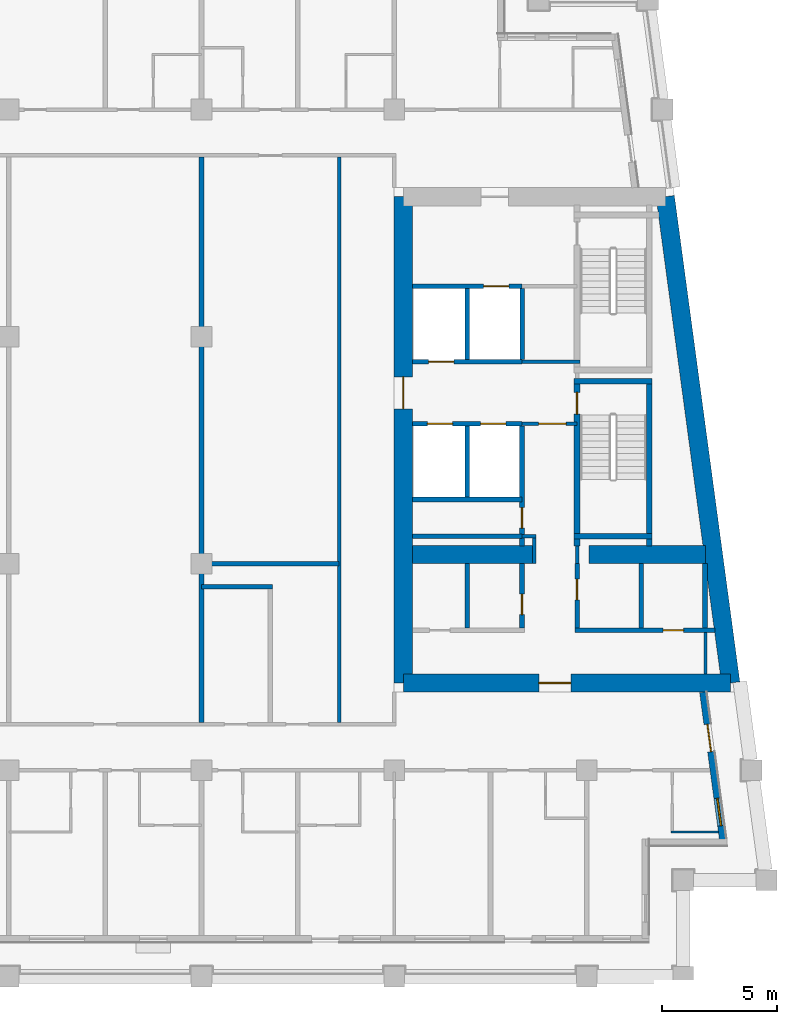
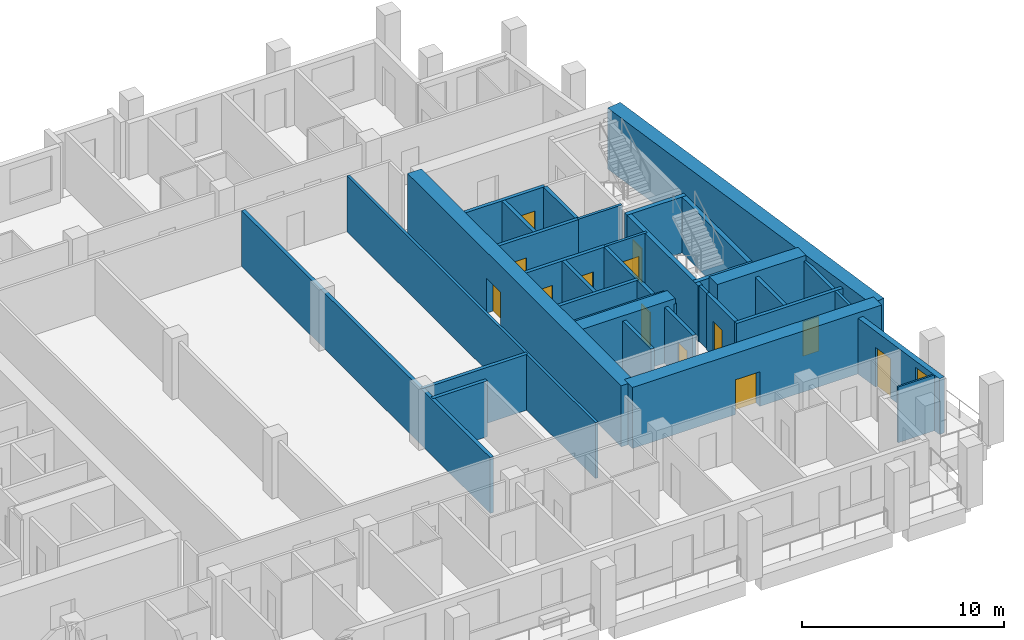
# One storey, part 5 of 13: 36 walls, 13 doors, 1 window, 14 openings.
"""IFC4 building model written with IfcOpenShell, lengths in metres."""

from ifc_helpers import new_model, si_unit, direction, frame, frame_2d, origin, place, context, subcontext, project, spatial, rectangle, extrude, material, layer, layer_set, type_object, element, fill, save


model = new_model("IFC4")

# Units and contexts
model_context = context("Model", 3, precision=1e-05, world=origin(), true_north=direction((0.0, 1.0)))
body_context = subcontext(model_context, "Body", "Model", "MODEL_VIEW")
ifc_project = project(units=[si_unit("LENGTHUNIT", "METRE"), si_unit("AREAUNIT", "SQUARE_METRE"), si_unit("VOLUMEUNIT", "CUBIC_METRE"), si_unit("PLANEANGLEUNIT", "RADIAN"), si_unit("MASSUNIT", "GRAM", prefix="KILO")], contexts=[model_context])

# Site, building, storey
site_placement = place(None, origin())
site = spatial("IfcSite", under=ifc_project, at=site_placement, CompositionType="ELEMENT")
building_placement = place(site_placement, origin())
building = spatial("IfcBuilding", under=site, at=building_placement, Name="Candeia Pilgrim Tower and Theatre", CompositionType="ELEMENT")
storey_placement = place(building_placement, frame((0.0, 0.0, 205.89990234375)))
storey = spatial("IfcBuildingStorey", under=building, at=storey_placement, Name="L49", CompositionType="ELEMENT", Elevation=205.89990234375)

# Wall
ifc_material_1 = material(Name="Concrete C50/60", Category="concrete")
ifc_layer_1 = layer(ifc_material_1, 0.800048828125)
ifc_layer_set_1 = layer_set([ifc_layer_1], Name="Core wall 800 C50/60")
wall_type_1 = type_object("IfcWallType", Name="Core wall 800 C50/60", PredefinedType="SHEAR", material=ifc_layer_set_1)
wall_1_placement = place(storey_placement, frame((137.819580078125, 132.0, 0.0), z_axis=(0.0, 0.0, 1.0), x_axis=(0.133408347329, -0.991061154956, 0.0)))
element("IfcWall", 1, at=wall_1_placement, inside=storey, type_object=wall_type_1, Name="Core wall E2", PredefinedType="SHEAR", context=body_context, shape_type="SweptSolid", body=[
    extrude(rectangle(XDim=21.39111328125, YDim=0.800048828125, at=frame_2d((10.695556640625, 0.0))), origin(), (0.0, 0.0, 1.0), 3.7001953125),
])

# Wall, opening, door
wall_2_placement = place(storey_placement, frame((140.67333984375, 110.800048828125, 0.0), z_axis=(0.0, 0.0, 1.0), x_axis=(-1.0, 0.0, 0.0)))
wall_2 = element("IfcWall", 2, at=wall_2_placement, inside=storey, type_object=wall_type_1, Name="Core wall E3", PredefinedType="SHEAR", context=body_context, shape_type="SweptSolid", body=[
    extrude(rectangle(XDim=14.2734375, YDim=0.800048828125, at=frame_2d((7.13671875, 0.0))), origin(), (0.0, 0.0, 1.0), 3.7001953125),
])
opening_1_placement = place(wall_2_placement, frame((6.96533203125, 0.0, 0.0)))
opening_1 = element("IfcOpeningElement", 3, at=opening_1_placement, cuts=wall_2, Name="Opening L49-D063", PredefinedType="OPENING", context=body_context, shape_type="SweptSolid", body=[
    extrude(rectangle(XDim=1.39990234375, YDim=2.10009765625, at=frame_2d((0.699951171875, 1.050048828125))), frame((0.0, 0.41015625, 0.0), z_axis=(0.0, -1.0, 0.0), x_axis=(1.0, 0.0, 0.0)), (0.0, 0.0, 1.0), 0.820068359375),
])
ifc_material_2 = material(Name="Steel fire door set", Category="steel")
door_type_1 = type_object("IfcDoorType", Name="D-1400-FD60", OperationType="NOTDEFINED", PredefinedType="DOOR", material=ifc_material_2)
door_1_placement = place(opening_1_placement, origin())
door_1 = element("IfcDoor", 4, at=door_1_placement, inside=storey, type_object=door_type_1, Name="Door L49-D063", OperationType="SINGLE_SWING_RIGHT", OverallHeight=2.10009765625, OverallWidth=1.39990234375, PredefinedType="DOOR", context=body_context, shape_type="SweptSolid", body=[
    extrude(rectangle(XDim=1.39990234375, YDim=2.10009765625, at=frame_2d((0.699951171875, 1.050048828125))), frame((0.0, 0.02490234375, 0.0), z_axis=(0.0, -1.0, 0.0), x_axis=(1.0, 0.0, 0.0)), (0.0, 0.0, 1.0), 0.050048828125),
])
fill(opening_1, door_1)

wall_3_placement = place(storey_placement, frame((126.39990234375, 110.800048828125, 0.0), z_axis=(0.0, 0.0, 1.0), x_axis=(0.0, 1.0, 0.0)))
wall_3 = element("IfcWall", 5, at=wall_3_placement, inside=storey, type_object=wall_type_1, Name="Core wall E4", PredefinedType="SHEAR", context=body_context, shape_type="SweptSolid", body=[
    extrude(rectangle(XDim=21.199951171875, YDim=0.800048828125, at=frame_2d((10.60009765625, 0.0))), origin(), (0.0, 0.0, 1.0), 3.7001953125),
])
opening_2_placement = place(wall_3_placement, frame((11.949951171875, 0.0, 0.0)))
opening_2 = element("IfcOpeningElement", 6, at=opening_2_placement, cuts=wall_3, Name="Opening L49-D065", PredefinedType="OPENING", context=body_context, shape_type="SweptSolid", body=[
    extrude(rectangle(XDim=1.39990234375, YDim=2.10009765625, at=frame_2d((0.699951171875, 1.050048828125))), frame((0.0, 0.41015625, 0.0), z_axis=(0.0, -1.0, 0.0), x_axis=(1.0, 0.0, 0.0)), (0.0, 0.0, 1.0), 0.820068359375),
])
door_2_placement = place(opening_2_placement, origin())
door_2 = element("IfcDoor", 7, at=door_2_placement, inside=storey, type_object=door_type_1, Name="Door L49-D065", OperationType="SINGLE_SWING_RIGHT", OverallHeight=2.10009765625, OverallWidth=1.39990234375, PredefinedType="DOOR", context=body_context, shape_type="SweptSolid", body=[
    extrude(rectangle(XDim=1.39990234375, YDim=2.10009765625, at=frame_2d((0.699951171875, 1.050048828125))), frame((0.0, 0.02490234375, 0.0), z_axis=(0.0, -1.0, 0.0), x_axis=(1.0, 0.0, 0.0)), (0.0, 0.0, 1.0), 0.050048828125),
])
fill(opening_2, door_2)

# Walls
wall_4_placement = place(storey_placement, frame((126.800048828125, 116.39990234375, 0.0), z_axis=(0.0, 0.0, 1.0), x_axis=(1.0, 0.0, 0.0)))
element("IfcWall", 8, at=wall_4_placement, inside=storey, type_object=wall_type_1, Name="Core wall E5", PredefinedType="SHEAR", context=body_context, shape_type="SweptSolid", body=[
    extrude(rectangle(XDim=5.300048828125, YDim=0.800048828125, at=frame_2d((2.64990234375, 0.0))), origin(), (0.0, 0.0, 1.0), 3.7001953125),
])
wall_5_placement = place(storey_placement, frame((134.5, 116.39990234375, 0.0), z_axis=(0.0, 0.0, 1.0), x_axis=(1.0, 0.0, 0.0)))
element("IfcWall", 9, at=wall_5_placement, inside=storey, type_object=wall_type_1, Name="Core wall E6", PredefinedType="SHEAR", context=body_context, shape_type="SweptSolid", body=[
    extrude(rectangle(XDim=5.076904296875, YDim=0.800048828125, at=frame_2d((2.53857421875, 0.0))), origin(), (0.0, 0.0, 1.0), 3.7001953125),
])

# Wall, openings, door, window
ifc_material_3 = material(Name="Ceramic block masonry", Category="masonry")
ifc_layer_2 = layer(ifc_material_3, 0.300048828125)
ifc_layer_set_2 = layer_set([ifc_layer_2], Name="EW1 glazing-line wall 300")
wall_type_2 = type_object("IfcWallType", Name="EW1 glazing-line wall 300", PredefinedType="SOLIDWALL", material=ifc_layer_set_2)
wall_6_placement = place(storey_placement, frame((140.34765625, 103.85009765625, 0.0), z_axis=(0.0, 0.0, 1.0), x_axis=(-0.133431549479, 0.991058031401, 0.0)))
wall_6 = element("IfcWall", 10, at=wall_6_placement, inside=storey, type_object=wall_type_2, Name="External wall L49-3.0", PredefinedType="SOLIDWALL", context=body_context, shape_type="SweptSolid", body=[
    extrude(rectangle(XDim=6.60888671875, YDim=0.300048828125, at=frame_2d((3.304443359375, 0.0))), origin(), (0.0, 0.0, 1.0), 3.380126953125),
])
opening_3_placement = place(wall_6_placement, frame((0.736572265625, 0.0, 0.89990234375)))
opening_3 = element("IfcOpeningElement", 11, at=opening_3_placement, cuts=wall_6, Name="Opening W-B", PredefinedType="OPENING", context=body_context, shape_type="SweptSolid", body=[
    extrude(rectangle(XDim=1.199951171875, YDim=2.10009765625, at=frame_2d((0.60009765625, 1.050048828125))), frame((0.0, 0.16015625, 0.0), z_axis=(0.0, -1.0, 0.0), x_axis=(1.0, 0.0, 0.0)), (0.0, 0.0, 1.0), 0.320068359375),
])
opening_4_placement = place(wall_6_placement, frame((3.990966796875, 0.0, 0.0)))
opening_4 = element("IfcOpeningElement", 12, at=opening_4_placement, cuts=wall_6, Name="Opening L49-ED464", PredefinedType="OPENING", context=body_context, shape_type="SweptSolid", body=[
    extrude(rectangle(XDim=1.199951171875, YDim=2.39990234375, at=frame_2d((0.60009765625, 1.199951171875))), frame((0.0, 0.16015625, 0.0), z_axis=(0.0, -1.0, 0.0), x_axis=(1.0, 0.0, 0.0)), (0.0, 0.0, 1.0), 0.320068359375),
])
ifc_material_4 = material(Name="Aluminium framed glazed door", Category="aluminium")
door_type_2 = type_object("IfcDoorType", Name="Loggia door 1200x2400", OperationType="DOUBLE_DOOR_SINGLE_SWING", PredefinedType="DOOR", material=ifc_material_4)
door_3_placement = place(opening_4_placement, origin())
door_3 = element("IfcDoor", 13, at=door_3_placement, inside=storey, type_object=door_type_2, Name="Loggia door L49-ED464", OperationType="DOUBLE_DOOR_SINGLE_SWING", OverallHeight=2.39990234375, OverallWidth=1.199951171875, PredefinedType="DOOR", context=body_context, shape_type="SweptSolid", body=[
    extrude(rectangle(XDim=1.199951171875, YDim=2.39990234375, at=frame_2d((0.60009765625, 1.199951171875))), frame((0.0, 0.02490234375, 0.0), z_axis=(0.0, -1.0, 0.0), x_axis=(1.0, 0.0, 0.0)), (0.0, 0.0, 1.0), 0.050048828125),
])
fill(opening_4, door_3)
ifc_material_5 = material(Name="Aluminium framed double glazing", Category="aluminium")
window_type = type_object("IfcWindowType", Name="W-B window 1200x2100", PartitioningType="SINGLE_PANEL", PredefinedType="WINDOW", material=ifc_material_5)
window_placement = place(opening_3_placement, origin())
window = element("IfcWindow", 14, at=window_placement, inside=storey, type_object=window_type, Name="Window W-B L49", OverallHeight=2.10009765625, OverallWidth=1.199951171875, PartitioningType="SINGLE_PANEL", PredefinedType="WINDOW", context=body_context, shape_type="SweptSolid", body=[
    extrude(rectangle(XDim=1.199951171875, YDim=2.10009765625, at=frame_2d((0.60009765625, 1.050048828125))), frame((0.0, 0.030029296875, 0.0), z_axis=(0.0, -1.0, 0.0), x_axis=(1.0, 0.0, 0.0)), (0.0, 0.0, 1.0), 0.06005859375),
])
fill(opening_3, window)

# Walls
ifc_material_6 = material(Name="Gypsum board partition on steel studs", Category="steel")
ifc_layer_3 = layer(ifc_material_6, 0.10009765625)
ifc_layer_set_3 = layer_set([ifc_layer_3], Name="PW-100 room partition")
wall_type_3 = type_object("IfcWallType", Name="PW-100 room partition", PredefinedType="PARTITIONING", material=ifc_layer_set_3)
wall_7_placement = place(storey_placement, frame((138.070068359375, 104.300048828125, 0.0), z_axis=(0.0, 0.0, 1.0), x_axis=(1.0, 0.0, 0.0)))
element("IfcWall", 15, at=wall_7_placement, inside=storey, type_object=wall_type_3, Name="Room partition L49-003", PredefinedType="PARTITIONING", context=body_context, shape_type="SweptSolid", body=[
    extrude(rectangle(XDim=2.07568359375, YDim=0.10009765625, at=frame_2d((1.037841796875, 0.0))), origin(), (0.0, 0.0, 1.0), 3.380126953125),
])
ifc_layer_4 = layer(ifc_material_6, 0.14990234375)
ifc_layer_set_4 = layer_set([ifc_layer_4], Name="PW-150 lobby wall")
wall_type_4 = type_object("IfcWallType", Name="PW-150 lobby wall", PredefinedType="PARTITIONING", material=ifc_layer_set_4)
wall_8_placement = place(storey_placement, frame((131.572998046875, 117.199951171875, 0.0), z_axis=(0.0, 0.0, 1.0), x_axis=(1.0, 0.0, 0.0)))
element("IfcWall", 16, at=wall_8_placement, inside=storey, type_object=wall_type_4, Name="Lobby wall L49-021", PredefinedType="PARTITIONING", context=body_context, shape_type="SweptSolid", body=[
    extrude(rectangle(XDim=0.60205078125, YDim=0.14990234375, at=frame_2d((0.301025390625, 0.0))), origin(), (0.0, 0.0, 1.0), 3.380126953125),
])

# Wall, opening, door
wall_9_placement = place(storey_placement, frame((131.572998046875, 122.10009765625, 0.0), z_axis=(0.0, 0.0, 1.0), x_axis=(1.0, 0.0, 0.0)))
wall_9 = element("IfcWall", 17, at=wall_9_placement, inside=storey, type_object=wall_type_4, Name="Lobby wall L49-029", PredefinedType="PARTITIONING", context=body_context, shape_type="SweptSolid", body=[
    extrude(rectangle(XDim=2.39990234375, YDim=0.14990234375, at=frame_2d((1.199951171875, 0.0))), origin(), (0.0, 0.0, 1.0), 3.380126953125),
])
opening_5_placement = place(wall_9_placement, frame((0.72509765625, 0.0, 0.0)))
opening_5 = element("IfcOpeningElement", 18, at=opening_5_placement, cuts=wall_9, Name="Opening L49-D009", PredefinedType="OPENING", context=body_context, shape_type="SweptSolid", body=[
    extrude(rectangle(XDim=1.199951171875, YDim=2.10009765625, at=frame_2d((0.60009765625, 1.050048828125))), frame((0.0, 0.0849609375, 0.0), z_axis=(0.0, -1.0, 0.0), x_axis=(1.0, 0.0, 0.0)), (0.0, 0.0, 1.0), 0.169921875),
])
door_type_3 = type_object("IfcDoorType", Name="D-1200-FD60", OperationType="NOTDEFINED", PredefinedType="DOOR", material=ifc_material_2)
door_4_placement = place(opening_5_placement, origin())
door_4 = element("IfcDoor", 19, at=door_4_placement, inside=storey, type_object=door_type_3, Name="Door L49-D009", OperationType="SINGLE_SWING_RIGHT", OverallHeight=2.10009765625, OverallWidth=1.199951171875, PredefinedType="DOOR", context=body_context, shape_type="SweptSolid", body=[
    extrude(rectangle(XDim=1.199951171875, YDim=2.10009765625, at=frame_2d((0.60009765625, 1.050048828125))), frame((0.0, 0.02490234375, 0.0), z_axis=(0.0, -1.0, 0.0), x_axis=(1.0, 0.0, 0.0)), (0.0, 0.0, 1.0), 0.050048828125),
])
fill(opening_5, door_4)

# Walls
wall_10_placement = place(storey_placement, frame((131.58203125, 124.800048828125, 0.0), z_axis=(0.0, 0.0, 1.0), x_axis=(1.0, 0.0, 0.0)))
element("IfcWall", 20, at=wall_10_placement, inside=storey, type_object=wall_type_4, Name="Lobby wall L49-036", PredefinedType="PARTITIONING", context=body_context, shape_type="SweptSolid", body=[
    extrude(rectangle(XDim=2.515869140625, YDim=0.14990234375, at=frame_2d((1.2578125, 0.0))), origin(), (0.0, 0.0, 1.0), 3.380126953125),
])
wall_11_placement = place(storey_placement, frame((132.10009765625, 116.0, 0.0), z_axis=(0.0, 0.0, 1.0), x_axis=(0.0, 1.0, 0.0)))
element("IfcWall", 21, at=wall_11_placement, inside=storey, type_object=wall_type_4, Name="Lobby wall L49-115", PredefinedType="PARTITIONING", context=body_context, shape_type="SweptSolid", body=[
    extrude(rectangle(XDim=1.125, YDim=0.14990234375, at=frame_2d((0.5625, 0.0))), origin(), (0.0, 0.0, 1.0), 3.380126953125),
])
wall_12_placement = place(storey_placement, frame((133.972900390625, 116.0, 0.0), z_axis=(0.0, 0.0, 1.0), x_axis=(0.0, 1.0, 0.0)))
element("IfcWall", 22, at=wall_12_placement, inside=storey, type_object=wall_type_4, Name="Lobby wall L49-119", PredefinedType="PARTITIONING", context=body_context, shape_type="SweptSolid", body=[
    extrude(rectangle(XDim=0.77001953125, YDim=0.14990234375, at=frame_2d((0.385009765625, 0.0))), origin(), (0.0, 0.0, 1.0), 3.380126953125),
])
wall_13_placement = place(storey_placement, frame((139.572998046875, 111.199951171875, 0.0), z_axis=(0.0, 0.0, 1.0), x_axis=(0.0, 1.0, 0.0)))
element("IfcWall", 23, at=wall_13_placement, inside=storey, type_object=wall_type_4, Name="Lobby wall L49-129", PredefinedType="PARTITIONING", context=body_context, shape_type="SweptSolid", body=[
    extrude(rectangle(XDim=1.800048828125, YDim=0.14990234375, at=frame_2d((0.89990234375, 0.0))), origin(), (0.0, 0.0, 1.0), 3.380126953125),
])
ifc_layer_5 = layer(ifc_material_6, 0.14990234375)
ifc_layer_set_5 = layer_set([ifc_layer_5], Name="PW-150 unit wall")
wall_type_5 = type_object("IfcWallType", Name="PW-150 unit wall", PredefinedType="PARTITIONING", material=ifc_layer_set_5)
wall_14_placement = place(storey_placement, frame((123.60009765625, 109.074951171875, 0.0), z_axis=(0.0, 0.0, 1.0), x_axis=(0.0, 1.0, 0.0)))
element("IfcWall", 24, at=wall_14_placement, inside=storey, type_object=wall_type_5, Name="Unit wall L49-100", PredefinedType="PARTITIONING", context=body_context, shape_type="SweptSolid", body=[
    extrude(rectangle(XDim=24.650146484375, YDim=0.14990234375, at=frame_2d((12.3251953125, 0.0))), origin(), (0.0, 0.0, 1.0), 3.380126953125),
])
ifc_layer_6 = layer(ifc_material_6, 0.199951171875)
ifc_layer_set_6 = layer_set([ifc_layer_6], Name="PW-200 party wall")
wall_type_6 = type_object("IfcWallType", Name="PW-200 party wall", PredefinedType="PARTITIONING", material=ifc_layer_set_6)
wall_15_placement = place(storey_placement, frame((117.60009765625, 115.0, 0.0), z_axis=(0.0, 0.0, 1.0), x_axis=(1.0, 0.0, 0.0)))
element("IfcWall", 25, at=wall_15_placement, inside=storey, type_object=wall_type_6, Name="Party wall L49-016", PredefinedType="PARTITIONING", context=body_context, shape_type="SweptSolid", body=[
    extrude(rectangle(XDim=3.099853515625, YDim=0.199951171875, at=frame_2d((1.5498046875, 0.0))), origin(), (0.0, 0.0, 1.0), 3.380126953125),
])
wall_16_placement = place(storey_placement, frame((117.60009765625, 116.0, 0.0), z_axis=(0.0, 0.0, 1.0), x_axis=(1.0, 0.0, 0.0)))
element("IfcWall", 26, at=wall_16_placement, inside=storey, type_object=wall_type_6, Name="Party wall L49-017", PredefinedType="PARTITIONING", context=body_context, shape_type="SweptSolid", body=[
    extrude(rectangle(XDim=6.0, YDim=0.199951171875, at=frame_2d((3.0, 0.0))), origin(), (0.0, 0.0, 1.0), 3.380126953125),
])
wall_17_placement = place(storey_placement, frame((117.60009765625, 109.074951171875, 0.0), z_axis=(0.0, 0.0, 1.0), x_axis=(0.0, 1.0, 0.0)))
element("IfcWall", 27, at=wall_17_placement, inside=storey, type_object=wall_type_6, Name="Party wall L49-093", PredefinedType="PARTITIONING", context=body_context, shape_type="SweptSolid", body=[
    extrude(rectangle(XDim=24.650146484375, YDim=0.199951171875, at=frame_2d((12.3251953125, 0.0))), origin(), (0.0, 0.0, 1.0), 3.380126953125),
])

# Wall, opening, door
ifc_material_7 = material(Name="Concrete C40/50", Category="concrete")
ifc_layer_7 = layer(ifc_material_7, 0.199951171875)
ifc_layer_set_7 = layer_set([ifc_layer_7], Name="SW-200 shaft wall")
wall_type_7 = type_object("IfcWallType", Name="SW-200 shaft wall", PredefinedType="PARTITIONING", material=ifc_layer_set_7)
wall_18_placement = place(storey_placement, frame((133.873046875, 113.10009765625, 0.0), z_axis=(0.0, 0.0, 1.0), x_axis=(1.0, 0.0, 0.0)))
wall_18 = element("IfcWall", 28, at=wall_18_placement, inside=storey, type_object=wall_type_7, Name="Shaft wall L49-015", PredefinedType="PARTITIONING", context=body_context, shape_type="SweptSolid", body=[
    extrude(rectangle(XDim=6.116943359375, YDim=0.199951171875, at=frame_2d((3.05859375, 0.0))), origin(), (0.0, 0.0, 1.0), 3.380126953125),
])
opening_6_placement = place(wall_18_placement, frame((3.85009765625, 0.0, 0.0)))
opening_6 = element("IfcOpeningElement", 29, at=opening_6_placement, cuts=wall_18, Name="Opening L49-D013", PredefinedType="OPENING", context=body_context, shape_type="SweptSolid", body=[
    extrude(rectangle(XDim=0.89990234375, YDim=2.10009765625, at=frame_2d((0.449951171875, 1.050048828125))), frame((0.0, 0.10986328125, 0.0), z_axis=(0.0, -1.0, 0.0), x_axis=(1.0, 0.0, 0.0)), (0.0, 0.0, 1.0), 0.219970703125),
])
door_type_4 = type_object("IfcDoorType", Name="D-900-FD60", OperationType="NOTDEFINED", PredefinedType="DOOR", material=ifc_material_2)
door_5_placement = place(opening_6_placement, origin())
door_5 = element("IfcDoor", 30, at=door_5_placement, inside=storey, type_object=door_type_4, Name="Door L49-D013", OperationType="SINGLE_SWING_RIGHT", OverallHeight=2.10009765625, OverallWidth=0.89990234375, PredefinedType="DOOR", context=body_context, shape_type="SweptSolid", body=[
    extrude(rectangle(XDim=0.89990234375, YDim=2.10009765625, at=frame_2d((0.449951171875, 1.050048828125))), frame((0.0, 0.02490234375, 0.0), z_axis=(0.0, -1.0, 0.0), x_axis=(1.0, 0.0, 0.0)), (0.0, 0.0, 1.0), 0.050048828125),
])
fill(opening_6, door_5)

# Walls
for number, where, z_axis, x_axis, name in (
    (31, (126.800048828125, 117.199951171875, 0.0), (0.0, 0.0, 1.0), (1.0, 0.0, 0.0), "Shaft wall L49-019"),
    (32, (126.800048828125, 118.800048828125, 0.0), (0.0, 0.0, 1.0), (1.0, 0.0, 0.0), "Shaft wall L49-025"),
):
    element("IfcWall", number, at=place(storey_placement, frame(where, z_axis=z_axis, x_axis=x_axis)), inside=storey, type_object=wall_type_7, Name=name, PredefinedType="PARTITIONING", context=body_context, shape_type="SweptSolid", body=[
        extrude(rectangle(XDim=4.77294921875, YDim=0.199951171875, at=frame_2d((2.386474609375, 0.0))), origin(), (0.0, 0.0, 1.0), 3.380126953125),
    ])

# Wall, openings, doors
wall_19_placement = place(storey_placement, frame((126.800048828125, 122.10009765625, 0.0), z_axis=(0.0, 0.0, 1.0), x_axis=(1.0, 0.0, 0.0)))
wall_19 = element("IfcWall", 33, at=wall_19_placement, inside=storey, type_object=wall_type_7, Name="Shaft wall L49-027", PredefinedType="PARTITIONING", context=body_context, shape_type="SweptSolid", body=[
    extrude(rectangle(XDim=4.77294921875, YDim=0.199951171875, at=frame_2d((2.386474609375, 0.0))), origin(), (0.0, 0.0, 1.0), 3.380126953125),
])
opening_7_placement = place(wall_19_placement, frame((2.970947265625, 0.0, 0.0)))
opening_7 = element("IfcOpeningElement", 34, at=opening_7_placement, cuts=wall_19, Name="Opening L49-LD05", PredefinedType="OPENING", context=body_context, shape_type="SweptSolid", body=[
    extrude(rectangle(XDim=1.10009765625, YDim=2.10009765625, at=frame_2d((0.550048828125, 1.050048828125))), frame((0.0, 0.10986328125, 0.0), z_axis=(0.0, -1.0, 0.0), x_axis=(1.0, 0.0, 0.0)), (0.0, 0.0, 1.0), 0.219970703125),
])
opening_8_placement = place(wall_19_placement, frame((0.64306640625, 0.0, 0.0)))
opening_8 = element("IfcOpeningElement", 35, at=opening_8_placement, cuts=wall_19, Name="Opening L49-LD06", PredefinedType="OPENING", context=body_context, shape_type="SweptSolid", body=[
    extrude(rectangle(XDim=1.10009765625, YDim=2.10009765625, at=frame_2d((0.550048828125, 1.050048828125))), frame((0.0, 0.10986328125, 0.0), z_axis=(0.0, -1.0, 0.0), x_axis=(1.0, 0.0, 0.0)), (0.0, 0.0, 1.0), 0.219970703125),
])
ifc_material_8 = material(Name="Glazed aluminium landing door", Category="aluminium")
door_type_5 = type_object("IfcDoorType", Name="LD-1100-EI120", OperationType="SLIDING_TO_LEFT", PredefinedType="DOOR", material=ifc_material_8)
door_6_placement = place(opening_7_placement, origin())
door_6 = element("IfcDoor", 36, at=door_6_placement, inside=storey, type_object=door_type_5, Name="Landing door 05 L49", OperationType="SLIDING_TO_LEFT", OverallHeight=2.10009765625, OverallWidth=1.10009765625, PredefinedType="DOOR", context=body_context, shape_type="SweptSolid", body=[
    extrude(rectangle(XDim=1.10009765625, YDim=2.10009765625, at=frame_2d((0.550048828125, 1.050048828125))), frame((0.0, 0.02490234375, 0.0), z_axis=(0.0, -1.0, 0.0), x_axis=(1.0, 0.0, 0.0)), (0.0, 0.0, 1.0), 0.050048828125),
])
fill(opening_7, door_6)
door_7_placement = place(opening_8_placement, origin())
door_7 = element("IfcDoor", 37, at=door_7_placement, inside=storey, type_object=door_type_5, Name="Landing door 06 L49", OperationType="SLIDING_TO_LEFT", OverallHeight=2.10009765625, OverallWidth=1.10009765625, PredefinedType="DOOR", context=body_context, shape_type="SweptSolid", body=[
    extrude(rectangle(XDim=1.10009765625, YDim=2.10009765625, at=frame_2d((0.550048828125, 1.050048828125))), frame((0.0, 0.02490234375, 0.0), z_axis=(0.0, -1.0, 0.0), x_axis=(1.0, 0.0, 0.0)), (0.0, 0.0, 1.0), 0.050048828125),
])
fill(opening_8, door_7)

# Wall, opening, door
wall_20_placement = place(storey_placement, frame((126.800048828125, 124.800048828125, 0.0), z_axis=(0.0, 0.0, 1.0), x_axis=(1.0, 0.0, 0.0)))
wall_20 = element("IfcWall", 38, at=wall_20_placement, inside=storey, type_object=wall_type_7, Name="Shaft wall L49-035", PredefinedType="PARTITIONING", context=body_context, shape_type="SweptSolid", body=[
    extrude(rectangle(XDim=4.781982421875, YDim=0.199951171875, at=frame_2d((2.39111328125, 0.0))), origin(), (0.0, 0.0, 1.0), 3.380126953125),
])
opening_9_placement = place(wall_20_placement, frame((0.705078125, 0.0, 0.0)))
opening_9 = element("IfcOpeningElement", 39, at=opening_9_placement, cuts=wall_20, Name="Opening L49-LD08", PredefinedType="OPENING", context=body_context, shape_type="SweptSolid", body=[
    extrude(rectangle(XDim=1.10009765625, YDim=2.10009765625, at=frame_2d((0.550048828125, 1.050048828125))), frame((0.0, 0.10986328125, 0.0), z_axis=(0.0, -1.0, 0.0), x_axis=(1.0, 0.0, 0.0)), (0.0, 0.0, 1.0), 0.219970703125),
])
door_8_placement = place(opening_9_placement, origin())
door_8 = element("IfcDoor", 40, at=door_8_placement, inside=storey, type_object=door_type_5, Name="Landing door 08 L49", OperationType="SLIDING_TO_LEFT", OverallHeight=2.10009765625, OverallWidth=1.10009765625, PredefinedType="DOOR", context=body_context, shape_type="SweptSolid", body=[
    extrude(rectangle(XDim=1.10009765625, YDim=2.10009765625, at=frame_2d((0.550048828125, 1.050048828125))), frame((0.0, 0.02490234375, 0.0), z_axis=(0.0, -1.0, 0.0), x_axis=(1.0, 0.0, 0.0)), (0.0, 0.0, 1.0), 0.050048828125),
])
fill(opening_9, door_8)

wall_21_placement = place(storey_placement, frame((126.800048828125, 128.10009765625, 0.0), z_axis=(0.0, 0.0, 1.0), x_axis=(1.0, 0.0, 0.0)))
wall_21 = element("IfcWall", 41, at=wall_21_placement, inside=storey, type_object=wall_type_7, Name="Shaft wall L49-038", PredefinedType="PARTITIONING", context=body_context, shape_type="SweptSolid", body=[
    extrude(rectangle(XDim=4.781982421875, YDim=0.199951171875, at=frame_2d((2.39111328125, 0.0))), origin(), (0.0, 0.0, 1.0), 3.380126953125),
])
opening_10_placement = place(wall_21_placement, frame((3.095947265625, 0.0, 0.0)))
opening_10 = element("IfcOpeningElement", 42, at=opening_10_placement, cuts=wall_21, Name="Opening L49-LD07", PredefinedType="OPENING", context=body_context, shape_type="SweptSolid", body=[
    extrude(rectangle(XDim=1.10009765625, YDim=2.10009765625, at=frame_2d((0.550048828125, 1.050048828125))), frame((0.0, 0.10986328125, 0.0), z_axis=(0.0, -1.0, 0.0), x_axis=(1.0, 0.0, 0.0)), (0.0, 0.0, 1.0), 0.219970703125),
])
door_9_placement = place(opening_10_placement, origin())
door_9 = element("IfcDoor", 43, at=door_9_placement, inside=storey, type_object=door_type_5, Name="Landing door 07 L49", OperationType="SLIDING_TO_LEFT", OverallHeight=2.10009765625, OverallWidth=1.10009765625, PredefinedType="DOOR", context=body_context, shape_type="SweptSolid", body=[
    extrude(rectangle(XDim=1.10009765625, YDim=2.10009765625, at=frame_2d((0.550048828125, 1.050048828125))), frame((0.0, 0.02490234375, 0.0), z_axis=(0.0, -1.0, 0.0), x_axis=(1.0, 0.0, 0.0)), (0.0, 0.0, 1.0), 0.050048828125),
])
fill(opening_10, door_9)

# Walls
wall_22_placement = place(storey_placement, frame((129.1865234375, 113.199951171875, 0.0), z_axis=(0.0, 0.0, 1.0), x_axis=(0.0, 1.0, 0.0)))
element("IfcWall", 44, at=wall_22_placement, inside=storey, type_object=wall_type_7, Name="Shaft wall L49-107", PredefinedType="PARTITIONING", context=body_context, shape_type="SweptSolid", body=[
    extrude(rectangle(XDim=2.800048828125, YDim=0.199951171875, at=frame_2d((1.39990234375, 0.0))), origin(), (0.0, 0.0, 1.0), 3.380126953125),
])
for number, where, z_axis, x_axis, name in (
    (45, (129.1865234375, 118.89990234375, 0.0), (0.0, 0.0, 1.0), (0.0, 1.0, 0.0), "Shaft wall L49-108"),
    (46, (129.19091796875, 124.89990234375, 0.0), (0.0, 0.0, 1.0), (0.0, 1.0, 0.0), "Shaft wall L49-109"),
):
    element("IfcWall", number, at=place(storey_placement, frame(where, z_axis=z_axis, x_axis=x_axis)), inside=storey, type_object=wall_type_7, Name=name, PredefinedType="PARTITIONING", context=body_context, shape_type="SweptSolid", body=[
        extrude(rectangle(XDim=3.10009765625, YDim=0.199951171875, at=frame_2d((1.550048828125, 0.0))), origin(), (0.0, 0.0, 1.0), 3.380126953125),
    ])

# Wall, opening, door
wall_23_placement = place(storey_placement, frame((131.572998046875, 113.199951171875, 0.0), z_axis=(0.0, 0.0, 1.0), x_axis=(0.0, 1.0, 0.0)))
wall_23 = element("IfcWall", 47, at=wall_23_placement, inside=storey, type_object=wall_type_7, Name="Shaft wall L49-112", PredefinedType="PARTITIONING", context=body_context, shape_type="SweptSolid", body=[
    extrude(rectangle(XDim=2.800048828125, YDim=0.199951171875, at=frame_2d((1.39990234375, 0.0))), origin(), (0.0, 0.0, 1.0), 3.380126953125),
])
opening_11_placement = place(wall_23_placement, frame((0.574951171875, 0.0, 0.0)))
opening_11 = element("IfcOpeningElement", 48, at=opening_11_placement, cuts=wall_23, Name="Opening L49-D015", PredefinedType="OPENING", context=body_context, shape_type="SweptSolid", body=[
    extrude(rectangle(XDim=0.89990234375, YDim=2.10009765625, at=frame_2d((0.449951171875, 1.050048828125))), frame((0.0, 0.10986328125, 0.0), z_axis=(0.0, -1.0, 0.0), x_axis=(1.0, 0.0, 0.0)), (0.0, 0.0, 1.0), 0.219970703125),
])
door_10_placement = place(opening_11_placement, origin())
door_10 = element("IfcDoor", 49, at=door_10_placement, inside=storey, type_object=door_type_4, Name="Door L49-D015", OperationType="SINGLE_SWING_RIGHT", OverallHeight=2.10009765625, OverallWidth=0.89990234375, PredefinedType="DOOR", context=body_context, shape_type="SweptSolid", body=[
    extrude(rectangle(XDim=0.89990234375, YDim=2.10009765625, at=frame_2d((0.449951171875, 1.050048828125))), frame((0.0, 0.02490234375, 0.0), z_axis=(0.0, -1.0, 0.0), x_axis=(1.0, 0.0, 0.0)), (0.0, 0.0, 1.0), 0.050048828125),
])
fill(opening_11, door_10)

wall_24_placement = place(storey_placement, frame((131.572998046875, 116.77001953125, 0.0), z_axis=(0.0, 0.0, 1.0), x_axis=(0.0, 1.0, 0.0)))
wall_24 = element("IfcWall", 50, at=wall_24_placement, inside=storey, type_object=wall_type_7, Name="Shaft wall L49-113", PredefinedType="PARTITIONING", context=body_context, shape_type="SweptSolid", body=[
    extrude(rectangle(XDim=5.22998046875, YDim=0.199951171875, at=frame_2d((2.614990234375, 0.0))), origin(), (0.0, 0.0, 1.0), 3.380126953125),
])
opening_12_placement = place(wall_24_placement, frame((0.780029296875, 0.0, 0.0)))
opening_12 = element("IfcOpeningElement", 51, at=opening_12_placement, cuts=wall_24, Name="Opening L49-D012", PredefinedType="OPENING", context=body_context, shape_type="SweptSolid", body=[
    extrude(rectangle(XDim=0.89990234375, YDim=2.10009765625, at=frame_2d((0.449951171875, 1.050048828125))), frame((0.0, 0.10986328125, 0.0), z_axis=(0.0, -1.0, 0.0), x_axis=(1.0, 0.0, 0.0)), (0.0, 0.0, 1.0), 0.219970703125),
])
door_11_placement = place(opening_12_placement, origin())
door_11 = element("IfcDoor", 52, at=door_11_placement, inside=storey, type_object=door_type_4, Name="Door L49-D012", OperationType="SINGLE_SWING_LEFT", OverallHeight=2.10009765625, OverallWidth=0.89990234375, PredefinedType="DOOR", context=body_context, shape_type="SweptSolid", body=[
    extrude(rectangle(XDim=0.89990234375, YDim=2.10009765625, at=frame_2d((0.449951171875, 1.050048828125))), frame((0.0, 0.02490234375, 0.0), z_axis=(0.0, -1.0, 0.0), x_axis=(1.0, 0.0, 0.0)), (0.0, 0.0, 1.0), 0.050048828125),
])
fill(opening_12, door_11)

# Wall
wall_25_placement = place(storey_placement, frame((131.58203125, 124.89990234375, 0.0), z_axis=(0.0, 0.0, 1.0), x_axis=(0.0, 1.0, 0.0)))
element("IfcWall", 53, at=wall_25_placement, inside=storey, type_object=wall_type_7, Name="Shaft wall L49-114", PredefinedType="PARTITIONING", context=body_context, shape_type="SweptSolid", body=[
    extrude(rectangle(XDim=3.10009765625, YDim=0.199951171875, at=frame_2d((1.550048828125, 0.0))), origin(), (0.0, 0.0, 1.0), 3.380126953125),
])

# Wall, opening, door
wall_26_placement = place(storey_placement, frame((133.972900390625, 113.199951171875, 0.0), z_axis=(0.0, 0.0, 1.0), x_axis=(0.0, 1.0, 0.0)))
wall_26 = element("IfcWall", 54, at=wall_26_placement, inside=storey, type_object=wall_type_7, Name="Shaft wall L49-118", PredefinedType="PARTITIONING", context=body_context, shape_type="SweptSolid", body=[
    extrude(rectangle(XDim=2.800048828125, YDim=0.199951171875, at=frame_2d((1.39990234375, 0.0))), origin(), (0.0, 0.0, 1.0), 3.380126953125),
])
opening_13_placement = place(wall_26_placement, frame((1.22509765625, 0.0, 0.0)))
opening_13 = element("IfcOpeningElement", 55, at=opening_13_placement, cuts=wall_26, Name="Opening L49-D014", PredefinedType="OPENING", context=body_context, shape_type="SweptSolid", body=[
    extrude(rectangle(XDim=0.89990234375, YDim=2.10009765625, at=frame_2d((0.449951171875, 1.050048828125))), frame((0.0, 0.10986328125, 0.0), z_axis=(0.0, -1.0, 0.0), x_axis=(1.0, 0.0, 0.0)), (0.0, 0.0, 1.0), 0.219970703125),
])
door_12_placement = place(opening_13_placement, origin())
door_12 = element("IfcDoor", 56, at=door_12_placement, inside=storey, type_object=door_type_4, Name="Door L49-D014", OperationType="SINGLE_SWING_LEFT", OverallHeight=2.10009765625, OverallWidth=0.89990234375, PredefinedType="DOOR", context=body_context, shape_type="SweptSolid", body=[
    extrude(rectangle(XDim=0.89990234375, YDim=2.10009765625, at=frame_2d((0.449951171875, 1.050048828125))), frame((0.0, 0.02490234375, 0.0), z_axis=(0.0, -1.0, 0.0), x_axis=(1.0, 0.0, 0.0)), (0.0, 0.0, 1.0), 0.050048828125),
])
fill(opening_13, door_12)

# Walls
for number, where, z_axis, x_axis, name in (
    (57, (136.77294921875, 113.199951171875, 0.0), (0.0, 0.0, 1.0), (0.0, 1.0, 0.0), "Shaft wall L49-124"),
    (58, (139.550537109375, 113.199951171875, 0.0), (0.0, 0.0, 1.0), (0.0, 1.0, 0.0), "Shaft wall L49-128"),
):
    element("IfcWall", number, at=place(storey_placement, frame(where, z_axis=z_axis, x_axis=x_axis)), inside=storey, type_object=wall_type_7, Name=name, PredefinedType="PARTITIONING", context=body_context, shape_type="SweptSolid", body=[
        extrude(rectangle(XDim=2.800048828125, YDim=0.199951171875, at=frame_2d((1.39990234375, 0.0))), origin(), (0.0, 0.0, 1.0), 3.380126953125),
    ])
ifc_layer_8 = layer(ifc_material_7, 0.25)
ifc_layer_set_8 = layer_set([ifc_layer_8], Name="SW-250 stair wall")
wall_type_8 = type_object("IfcWallType", Name="SW-250 stair wall", PredefinedType="PARTITIONING", material=ifc_layer_set_8)
for number, where, z_axis, x_axis, name in (
    (59, (133.847900390625, 117.199951171875, 0.0), (0.0, 0.0, 1.0), (1.0, 0.0, 0.0), "Stair wall L49-023"),
    (60, (133.847900390625, 123.949951171875, 0.0), (0.0, 0.0, 1.0), (1.0, 0.0, 0.0), "Stair wall L49-031"),
):
    element("IfcWall", number, at=place(storey_placement, frame(where, z_axis=z_axis, x_axis=x_axis)), inside=storey, type_object=wall_type_8, Name=name, PredefinedType="PARTITIONING", context=body_context, shape_type="SweptSolid", body=[
        extrude(rectangle(XDim=3.400146484375, YDim=0.25, at=frame_2d((1.7001953125, 0.0))), origin(), (0.0, 0.0, 1.0), 3.380126953125),
    ])

# Wall, opening, door
wall_27_placement = place(storey_placement, frame((133.972900390625, 116.77001953125, 0.0), z_axis=(0.0, 0.0, 1.0), x_axis=(0.0, 1.0, 0.0)))
wall_27 = element("IfcWall", 61, at=wall_27_placement, inside=storey, type_object=wall_type_8, Name="Stair wall L49-121", PredefinedType="PARTITIONING", context=body_context, shape_type="SweptSolid", body=[
    extrude(rectangle(XDim=7.054931640625, YDim=0.25, at=frame_2d((3.52734375, 0.0))), origin(), (0.0, 0.0, 1.0), 3.380126953125),
])
opening_14_placement = place(wall_27_placement, frame((5.7548828125, 0.0, 0.0)))
opening_14 = element("IfcOpeningElement", 62, at=opening_14_placement, cuts=wall_27, Name="Opening L49-D010", PredefinedType="OPENING", context=body_context, shape_type="SweptSolid", body=[
    extrude(rectangle(XDim=0.949951171875, YDim=2.10009765625, at=frame_2d((0.47509765625, 1.050048828125))), frame((0.0, 0.135009765625, 0.0), z_axis=(0.0, -1.0, 0.0), x_axis=(1.0, 0.0, 0.0)), (0.0, 0.0, 1.0), 0.27001953125),
])
door_type_6 = type_object("IfcDoorType", Name="D-950-FD60", OperationType="NOTDEFINED", PredefinedType="DOOR", material=ifc_material_2)
door_13_placement = place(opening_14_placement, origin())
door_13 = element("IfcDoor", 63, at=door_13_placement, inside=storey, type_object=door_type_6, Name="Door L49-D010", OperationType="SINGLE_SWING_LEFT", OverallHeight=2.10009765625, OverallWidth=0.949951171875, PredefinedType="DOOR", context=body_context, shape_type="SweptSolid", body=[
    extrude(rectangle(XDim=0.949951171875, YDim=2.10009765625, at=frame_2d((0.47509765625, 1.050048828125))), frame((0.0, 0.02490234375, 0.0), z_axis=(0.0, -1.0, 0.0), x_axis=(1.0, 0.0, 0.0)), (0.0, 0.0, 1.0), 0.050048828125),
])
fill(opening_14, door_13)

# Wall
wall_28_placement = place(storey_placement, frame((137.123046875, 116.77001953125, 0.0), z_axis=(0.0, 0.0, 1.0), x_axis=(0.0, 1.0, 0.0)))
element("IfcWall", 64, at=wall_28_placement, inside=storey, type_object=wall_type_8, Name="Stair wall L49-125", PredefinedType="PARTITIONING", context=body_context, shape_type="SweptSolid", body=[
    extrude(rectangle(XDim=7.054931640625, YDim=0.25, at=frame_2d((3.52734375, 0.0))), origin(), (0.0, 0.0, 1.0), 3.380126953125),
])

save(model, "model.ifc")
